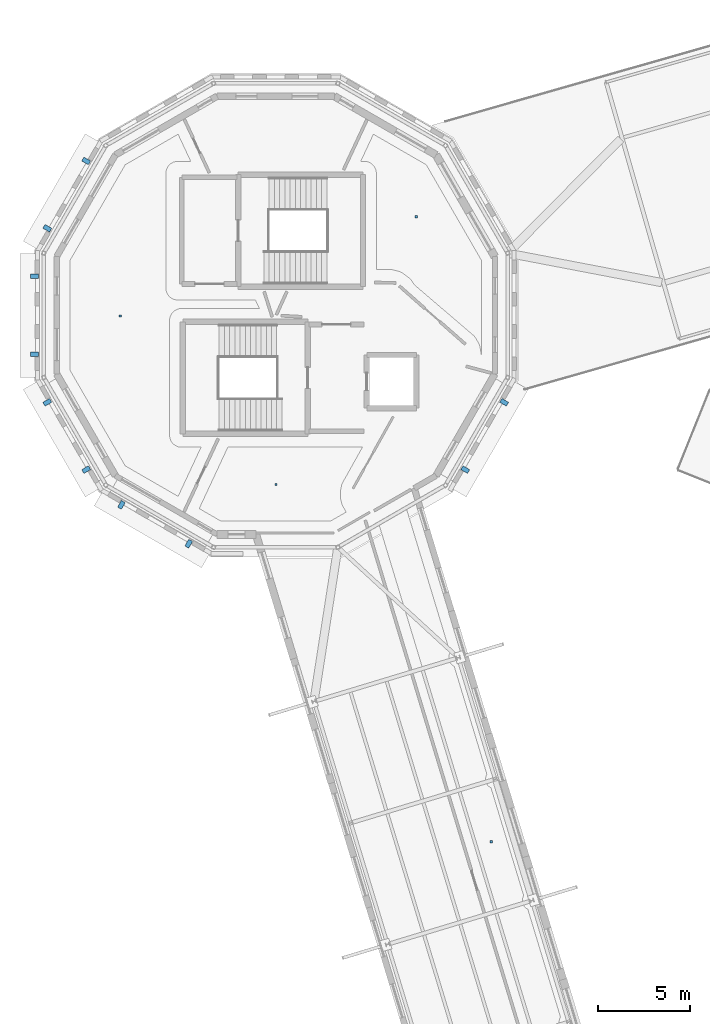
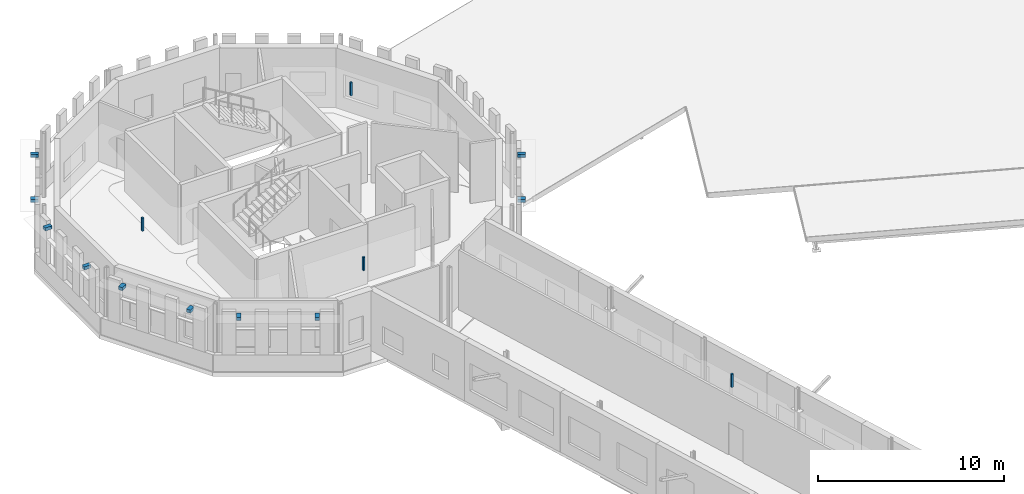
# One storey, part 78 of 90: 14 discrete accessories.
"""IFC4 building model written with IfcOpenShell, lengths in metres."""

from ifc_helpers import new_model, si_unit, direction, frame, origin, origin_2d, place, context, subcontext, project, spatial, rectangle, extrude, material, type_object, element, save


model = new_model("IFC4")

# Units and contexts
model_context = context("Model", 3, precision=1e-05, world=origin(), true_north=direction((0.0, 1.0)))
body_context = subcontext(model_context, "Body", "Model", "MODEL_VIEW")
ifc_project = project(units=[si_unit("LENGTHUNIT", "METRE"), si_unit("AREAUNIT", "SQUARE_METRE"), si_unit("VOLUMEUNIT", "CUBIC_METRE"), si_unit("PLANEANGLEUNIT", "RADIAN"), si_unit("MASSUNIT", "GRAM", prefix="KILO")], contexts=[model_context])

# Site, building, storey
site_placement = place(None, origin())
site = spatial("IfcSite", under=ifc_project, at=site_placement, CompositionType="ELEMENT")
building_placement = place(site_placement, origin())
building = spatial("IfcBuilding", under=site, at=building_placement, Name="Wrenclough Park School", CompositionType="ELEMENT")
storey_placement = place(building_placement, frame((0.0, 0.0, 8.39990234375)))
storey = spatial("IfcBuildingStorey", under=building, at=storey_placement, Name="L02", CompositionType="ELEMENT", Elevation=8.39990234375)

# Discrete accessories
ifc_material_1 = material(Name="Austenitic stainless steel Grade 1.4401", Category="steel")
discrete_accessory_type_1 = type_object("IfcDiscreteAccessoryType", Name="ENV-BRK-01", PredefinedType="BRACKET", material=ifc_material_1)
for number, where, z_axis, x_axis, name in (
    (1, (6.19677734375, 97.88720703125, 3.5400390625), (0.0, 0.0, 1.0), (-0.499990505441, -0.866030885401, 0.0), "Brise-soleil stainless outrigger bracket 0117"),
    (2, (4.084716796875, 94.229248046875, 3.5400390625), (0.0, 0.0, 1.0), (-0.499990505441, -0.866030885401, 0.0), "Brise-soleil stainless outrigger bracket 0118"),
    (3, (3.38330078125, 91.61181640625, 3.5400390625), (0.0, 0.0, 1.0), (0.0, -1.0, 0.0), "Brise-soleil stainless outrigger bracket 0119"),
    (4, (3.38330078125, 87.38818359375, 3.5400390625), (0.0, 0.0, 1.0), (0.0, -1.0, 0.0), "Brise-soleil stainless outrigger bracket 0120"),
    (5, (4.084716796875, 84.770751953125, 3.5400390625), (0.0, 0.0, 1.0), (0.499990505441, -0.866030885401, 0.0), "Brise-soleil stainless outrigger bracket 0121"),
    (6, (6.19677734375, 81.11279296875, 3.5400390625), (0.0, 0.0, 1.0), (0.499990505441, -0.866030885401, 0.0), "Brise-soleil stainless outrigger bracket 0122"),
    (7, (8.11279296875, 79.19677734375, 3.5400390625), (0.0, 0.0, 1.0), (0.866030885401, -0.499990505441, 0.0), "Brise-soleil stainless outrigger bracket 0123"),
    (8, (11.770751953125, 77.084716796875, 3.5400390625), (0.0, 0.0, 1.0), (0.866030885401, -0.499990505441, 0.0), "Brise-soleil stainless outrigger bracket 0124"),
    (9, (26.80322265625, 81.11279296875, 3.5400390625), (0.0, 0.0, 1.0), (0.499990505441, 0.866030885401, 0.0), "Brise-soleil stainless outrigger bracket 0125"),
    (10, (28.915283203125, 84.770751953125, 3.5400390625), (0.0, 0.0, 1.0), (0.499990505441, 0.866030885401, 0.0), "Brise-soleil stainless outrigger bracket 0126"),
):
    element("IfcDiscreteAccessory", number, at=place(storey_placement, frame(where, z_axis=z_axis, x_axis=x_axis)), inside=storey, type_object=discrete_accessory_type_1, Name=name, PredefinedType="BRACKET", context=body_context, shape_type="SweptSolid", body=[
        extrude(rectangle(XDim=0.239990234375, YDim=0.419921875, at=origin_2d()), origin(), (0.0, 0.0, 1.0), 0.199951171875),
    ])
ifc_material_2 = material(Name="Galvanised steel acoustic ceiling suspension hanger", Category="steel")
discrete_accessory_type_2 = type_object("IfcDiscreteAccessoryType", Name="INT-BRK-HGR", PredefinedType="BRACKET", material=ifc_material_2)
for number, where, z_axis, x_axis, name in (
    (11, (8.05322265625, 89.467529296875, 3.09033203125), (0.0, 0.0, 1.0), (1.0, 0.0, 0.0), "Acoustic ceiling hanger bracket 0051"),
    (12, (16.52099609375, 80.304443359375, 3.09033203125), (0.0, 0.0, 1.0), (1.0, 0.0, 0.0), "Acoustic ceiling hanger bracket 0052"),
    (13, (24.140869140625, 94.857177734375, 3.09033203125), (0.0, 0.0, 1.0), (1.0, 0.0, 0.0), "Acoustic ceiling hanger bracket 0053"),
    (14, (28.215087890625, 60.887451171875, 3.09033203125), (0.0, 0.0, 1.0), (1.0, 0.0, 0.0), "Acoustic ceiling hanger bracket 0061"),
):
    element("IfcDiscreteAccessory", number, at=place(storey_placement, frame(where, z_axis=z_axis, x_axis=x_axis)), inside=storey, type_object=discrete_accessory_type_2, Name=name, PredefinedType="BRACKET", context=body_context, shape_type="SweptSolid", body=[
        extrude(rectangle(XDim=0.1201171875, YDim=0.1201171875, at=origin_2d()), origin(), (0.0, 0.0, 1.0), 0.864990234375),
    ])

save(model, "model.ifc")
